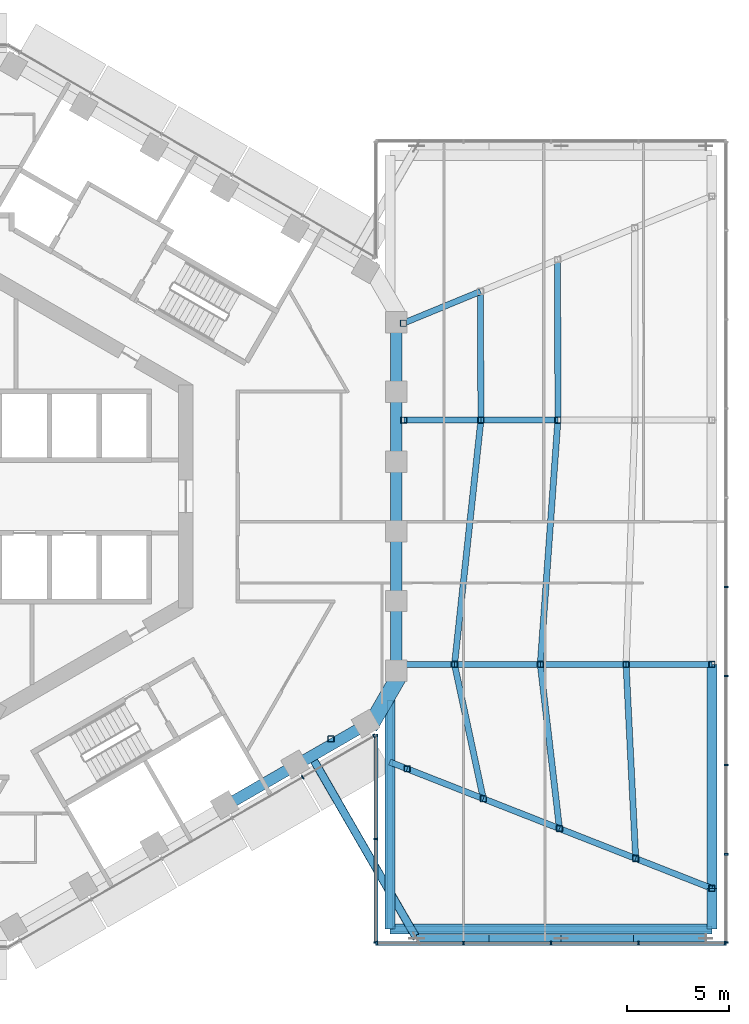
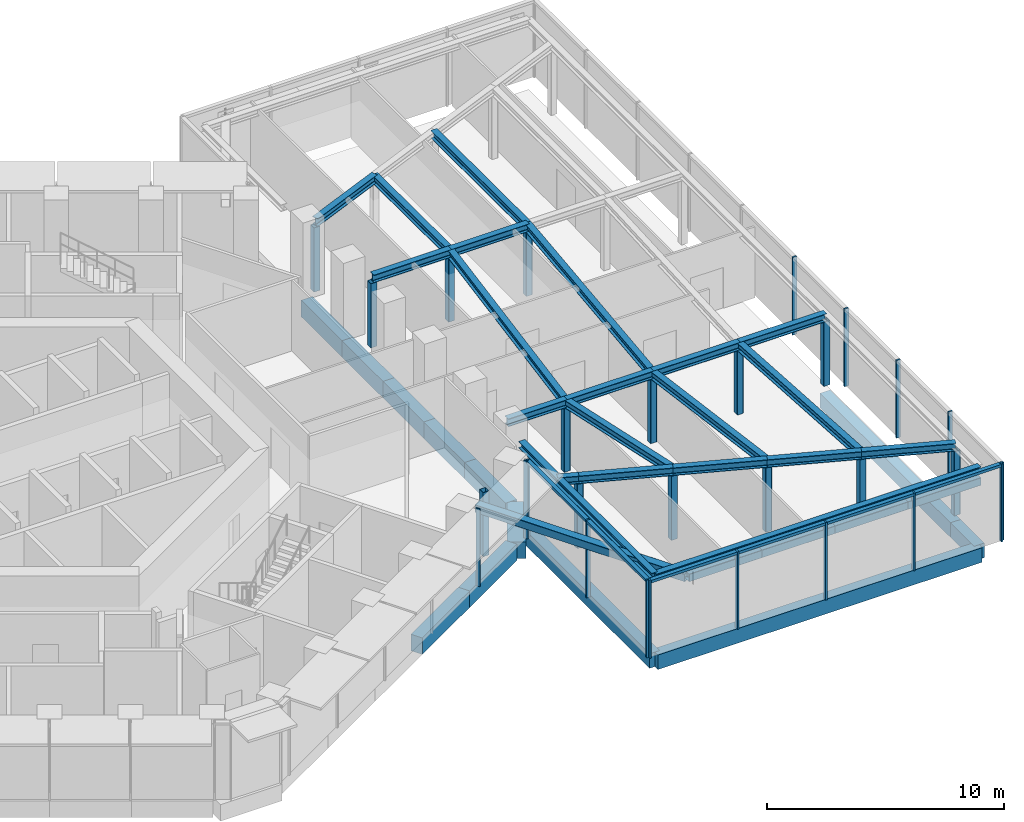
# One storey, part 4 of 24: 36 members, 33 beams, 4 elements without a shape of their own.
"""IFC4 building model written with IfcOpenShell, lengths in metres."""

from ifc_helpers import new_model, si_unit, direction, frame, origin, origin_2d, place, context, subcontext, project, spatial, rectangle, hollow_rectangle, i_section, extrude, material, layer, layer_set, material_profile, profile_set, type_object, element, aggregate, save


model = new_model("IFC4")

# Units and contexts
model_context = context("Model", 3, precision=1e-05, world=origin(), true_north=direction((0.0, 1.0)))
body_context = subcontext(model_context, "Body", "Model", "MODEL_VIEW")
ifc_project = project(units=[si_unit("LENGTHUNIT", "METRE"), si_unit("AREAUNIT", "SQUARE_METRE"), si_unit("VOLUMEUNIT", "CUBIC_METRE"), si_unit("PLANEANGLEUNIT", "RADIAN"), si_unit("MASSUNIT", "GRAM", prefix="KILO")], contexts=[model_context])

# Site, building, storey
site_placement = place(None, origin())
site = spatial("IfcSite", under=ifc_project, at=site_placement, CompositionType="ELEMENT")
building_placement = place(site_placement, origin())
building = spatial("IfcBuilding", under=site, at=building_placement, Name="Ayvan Gate Tower", CompositionType="ELEMENT")
storey_placement = place(building_placement, frame((0.0, 0.0, 128.5)))
storey = spatial("IfcBuildingStorey", under=building, at=storey_placement, Name="L34", CompositionType="ELEMENT", Elevation=128.5)

# Beams
ifc_material_1 = material(Name="Concrete C40/50", Category="concrete")
ifc_material_profile_1 = material_profile(ifc_material_1, rectangle(XDim=0.800048828125, YDim=0.85009765625, at=origin_2d()), Name="RC 800x850")
ifc_profile_set_1 = profile_set([ifc_material_profile_1], Name="Concrete C40/50")
beam_type_1 = type_object("IfcBeamType", Name="Corner spandrel beam RC 800x850 C40/50", PredefinedType="BEAM", material=ifc_profile_set_1)
beam_1_placement = place(storey_placement, frame((18.176025390625, -11.32763671875, -0.824951171875), z_axis=(0.499990139034, 0.866031096941, 0.0), x_axis=(-0.866031096941, 0.499990139034, 0.0)))
element("IfcBeam", 1, at=beam_1_placement, inside=storey, type_object=beam_type_1, Name="SB-L34-36", PredefinedType="BEAM", context=body_context, shape_type="SweptSolid", body=[
    extrude(rectangle(XDim=0.800048828125, YDim=0.85009765625, at=origin_2d()), origin(), (0.0, 0.0, 1.0), 3.0),
])
ifc_material_profile_2 = material_profile(ifc_material_1, rectangle(XDim=0.5, YDim=0.75, at=origin_2d()), Name="RC 500x750")
ifc_profile_set_2 = profile_set([ifc_material_profile_2], Name="Concrete C40/50")
beam_type_2 = type_object("IfcBeamType", Name="Sky bar edge beam RC 500x750 C40/50", PredefinedType="BEAM", material=ifc_profile_set_2)
beam_2_placement = place(storey_placement, frame((34.985595703125, -8.25, -0.77490234375), z_axis=(0.0, -1.0, 0.0), x_axis=(1.0, 0.0, 0.0)))
element("IfcBeam", 2, at=beam_2_placement, inside=storey, type_object=beam_type_2, Name="EB-B2-L34-6", PredefinedType="BEAM", context=body_context, shape_type="SweptSolid", body=[
    extrude(rectangle(XDim=0.5, YDim=0.75, at=origin_2d()), origin(), (0.0, 0.0, 1.0), 11.0),
])
beam_3_placement = place(storey_placement, frame((34.985595703125, -19.25, -0.77490234375), z_axis=(0.0, -1.0, 0.0), x_axis=(1.0, 0.0, 0.0)))
element("IfcBeam", 3, at=beam_3_placement, inside=storey, type_object=beam_type_2, Name="EB-B2-L34-7", PredefinedType="BEAM", context=body_context, shape_type="SweptSolid", body=[
    extrude(rectangle(XDim=0.5, YDim=0.75, at=origin_2d()), origin(), (0.0, 0.0, 1.0), 2.0),
])
beam_4_placement = place(storey_placement, frame((34.985595703125, -21.25, -0.77490234375), z_axis=(-1.0, 0.0, 0.0), x_axis=(0.0, -1.0, 0.0)))
element("IfcBeam", 4, at=beam_4_placement, inside=storey, type_object=beam_type_2, Name="EB-B2-L34-8", PredefinedType="BEAM", context=body_context, shape_type="SweptSolid", body=[
    extrude(rectangle(XDim=0.5, YDim=0.75, at=origin_2d()), origin(), (0.0, 0.0, 1.0), 15.800048828125),
])
beam_5_placement = place(storey_placement, frame((19.185546875, -21.25, -0.77490234375), z_axis=(0.0, 1.0, 0.0), x_axis=(-1.0, 0.0, 0.0)))
element("IfcBeam", 5, at=beam_5_placement, inside=storey, type_object=beam_type_2, Name="EB-B2-L34-9", PredefinedType="BEAM", context=body_context, shape_type="SweptSolid", body=[
    extrude(rectangle(XDim=0.5, YDim=0.75, at=origin_2d()), origin(), (0.0, 0.0, 1.0), 11.4501953125),
])
ifc_material_2 = material(Name="Steel S460ML", Category="steel")
ifc_material_profile_3 = material_profile(ifc_material_2, i_section(OverallWidth=0.300048828125, OverallDepth=0.39990234375, WebThickness=0.013427734375, FlangeThickness=0.02392578125, FilletRadius=0.027099609375, at=origin_2d()), Name="HE 400 B")
ifc_profile_set_3 = profile_set([ifc_material_profile_3], Name="Steel S460ML")
beam_type_3 = type_object("IfcBeamType", Name="Sky bar roof beam B2 HE 400 B", PredefinedType="BEAM", material=ifc_profile_set_3)
beam_6_placement = place(storey_placement, frame((19.16552734375, -13.04248046875, 3.5), z_axis=(0.930896936918, -0.365281936093, 0.0), x_axis=(0.365281936093, 0.930896936918, 0.0)))
element("IfcBeam", 6, at=beam_6_placement, inside=storey, type_object=beam_type_3, Name="RB-B2-SBT2-1-1", PredefinedType="BEAM", context=body_context, shape_type="SweptSolid", body=[
    extrude(i_section(OverallWidth=0.300048828125, OverallDepth=0.39990234375, WebThickness=0.013427734375, FlangeThickness=0.02392578125, FilletRadius=0.027099609375, at=origin_2d()), origin(), (0.0, 0.0, 1.0), 0.917724609375),
])
beam_7_placement = place(storey_placement, frame((20.019775390625, -13.377685546875, 3.5), z_axis=(0.930907196414, -0.365255789366, 0.0), x_axis=(0.365255789366, 0.930907196414, 0.0)))
element("IfcBeam", 7, at=beam_7_placement, inside=storey, type_object=beam_type_3, Name="RB-B2-SBT2-1-2", PredefinedType="BEAM", context=body_context, shape_type="SweptSolid", body=[
    extrude(i_section(OverallWidth=0.300048828125, OverallDepth=0.39990234375, WebThickness=0.013427734375, FlangeThickness=0.02392578125, FilletRadius=0.027099609375, at=origin_2d()), origin(), (0.0, 0.0, 1.0), 4.01904296875),
])
beam_8_placement = place(storey_placement, frame((23.76123046875, -14.845703125, 3.5), z_axis=(0.930886541135, -0.365308427953, 0.0), x_axis=(0.365308427953, 0.930886541135, 0.0)))
element("IfcBeam", 8, at=beam_8_placement, inside=storey, type_object=beam_type_3, Name="RB-B2-SBT2-1-3", PredefinedType="BEAM", context=body_context, shape_type="SweptSolid", body=[
    extrude(i_section(OverallWidth=0.300048828125, OverallDepth=0.39990234375, WebThickness=0.013427734375, FlangeThickness=0.02392578125, FilletRadius=0.027099609375, at=origin_2d()), origin(), (0.0, 0.0, 1.0), 4.019287109375),
])
for number, where, z_axis, x_axis, name in (
    (9, (27.502685546875, -16.31396484375, 3.5), (0.930907196414, -0.365255789366, 0.0), (0.365255789366, 0.930907196414, 0.0), "RB-B2-SBT2-1-4"),
    (10, (31.244140625, -17.781982421875, 3.5), (0.930907196414, -0.365255789366, 0.0), (0.365255789366, 0.930907196414, 0.0), "RB-B2-SBT2-1-5"),
):
    element("IfcBeam", number, at=place(storey_placement, frame(where, z_axis=z_axis, x_axis=x_axis)), inside=storey, type_object=beam_type_3, Name=name, PredefinedType="BEAM", context=body_context, shape_type="SweptSolid", body=[
        extrude(i_section(OverallWidth=0.300048828125, OverallDepth=0.39990234375, WebThickness=0.013427734375, FlangeThickness=0.02392578125, FilletRadius=0.027099609375, at=origin_2d()), origin(), (0.0, 0.0, 1.0), 4.01904296875),
    ])
beam_9_placement = place(storey_placement, frame((19.485595703125, -8.25, 3.5), z_axis=(1.0, 0.0, 0.0), x_axis=(0.0, 1.0, 0.0)))
element("IfcBeam", 11, at=beam_9_placement, inside=storey, type_object=beam_type_3, Name="RB-B2-SBT2-2-1", PredefinedType="BEAM", context=body_context, shape_type="SweptSolid", body=[
    extrude(i_section(OverallWidth=0.300048828125, OverallDepth=0.39990234375, WebThickness=0.013427734375, FlangeThickness=0.02392578125, FilletRadius=0.027099609375, at=origin_2d()), origin(), (0.0, 0.0, 1.0), 2.862548828125),
])
beam_10_placement = place(storey_placement, frame((22.34814453125, -8.25, 3.5), z_axis=(1.0, 0.0, 0.0), x_axis=(0.0, 1.0, 0.0)))
element("IfcBeam", 12, at=beam_10_placement, inside=storey, type_object=beam_type_3, Name="RB-B2-SBT2-2-2", PredefinedType="BEAM", context=body_context, shape_type="SweptSolid", body=[
    extrude(i_section(OverallWidth=0.300048828125, OverallDepth=0.39990234375, WebThickness=0.013427734375, FlangeThickness=0.02392578125, FilletRadius=0.027099609375, at=origin_2d()), origin(), (0.0, 0.0, 1.0), 4.21240234375),
])
beam_11_placement = place(storey_placement, frame((26.560546875, -8.25, 3.5), z_axis=(1.0, 0.0, 0.0), x_axis=(0.0, 1.0, 0.0)))
element("IfcBeam", 13, at=beam_11_placement, inside=storey, type_object=beam_type_3, Name="RB-B2-SBT2-2-3", PredefinedType="BEAM", context=body_context, shape_type="SweptSolid", body=[
    extrude(i_section(OverallWidth=0.300048828125, OverallDepth=0.39990234375, WebThickness=0.013427734375, FlangeThickness=0.02392578125, FilletRadius=0.027099609375, at=origin_2d()), origin(), (0.0, 0.0, 1.0), 4.212646484375),
])
beam_12_placement = place(storey_placement, frame((30.773193359375, -8.25, 3.5), z_axis=(1.0, 0.0, 0.0), x_axis=(0.0, 1.0, 0.0)))
element("IfcBeam", 14, at=beam_12_placement, inside=storey, type_object=beam_type_3, Name="RB-B2-SBT2-2-4", PredefinedType="BEAM", context=body_context, shape_type="SweptSolid", body=[
    extrude(i_section(OverallWidth=0.300048828125, OverallDepth=0.39990234375, WebThickness=0.013427734375, FlangeThickness=0.02392578125, FilletRadius=0.027099609375, at=origin_2d()), origin(), (0.0, 0.0, 1.0), 4.21240234375),
])
for number, where, z_axis, x_axis, name in (
    (15, (19.86181640625, 3.75, 3.5), (1.0, 0.0, 0.0), (0.0, 1.0, 0.0), "RB-B2-SBT2-3-1"),
    (16, (23.642822265625, 3.75, 3.5), (1.0, 0.0, 0.0), (0.0, 1.0, 0.0), "RB-B2-SBT2-3-2"),
):
    element("IfcBeam", number, at=place(storey_placement, frame(where, z_axis=z_axis, x_axis=x_axis)), inside=storey, type_object=beam_type_3, Name=name, PredefinedType="BEAM", context=body_context, shape_type="SweptSolid", body=[
        extrude(i_section(OverallWidth=0.300048828125, OverallDepth=0.39990234375, WebThickness=0.013427734375, FlangeThickness=0.02392578125, FilletRadius=0.027099609375, at=origin_2d()), origin(), (0.0, 0.0, 1.0), 3.781005859375),
    ])
beam_13_placement = place(storey_placement, frame((19.831787109375, 8.506591796875, 3.5), z_axis=(0.924601569507, 0.380935608292, 0.0), x_axis=(-0.380935608292, 0.924601569507, 0.0)))
element("IfcBeam", 17, at=beam_13_placement, inside=storey, type_object=beam_type_3, Name="RB-B2-SBT2-4-1", PredefinedType="BEAM", context=body_context, shape_type="SweptSolid", body=[
    extrude(i_section(OverallWidth=0.300048828125, OverallDepth=0.39990234375, WebThickness=0.013427734375, FlangeThickness=0.02392578125, FilletRadius=0.027099609375, at=origin_2d()), origin(), (0.0, 0.0, 1.0), 4.09716796875),
])
beam_14_placement = place(storey_placement, frame((31.244140625, -17.781982421875, 3.5), z_axis=(-0.04934687143, 0.998781701014, 0.0), x_axis=(-0.998781701014, -0.04934687143, 0.0)))
element("IfcBeam", 18, at=beam_14_placement, inside=storey, type_object=beam_type_3, Name="RX-B2-12-2", PredefinedType="BEAM", context=body_context, shape_type="SweptSolid", body=[
    extrude(i_section(OverallWidth=0.300048828125, OverallDepth=0.39990234375, WebThickness=0.013427734375, FlangeThickness=0.02392578125, FilletRadius=0.027099609375, at=origin_2d()), origin(), (0.0, 0.0, 1.0), 9.543701171875),
])
beam_15_placement = place(storey_placement, frame((27.502685546875, -16.31396484375, 3.5), z_axis=(-0.116043867406, 0.993244089254, 0.0), x_axis=(-0.993244089254, -0.116043867406, 0.0)))
element("IfcBeam", 19, at=beam_15_placement, inside=storey, type_object=beam_type_3, Name="RX-B2-12-3", PredefinedType="BEAM", context=body_context, shape_type="SweptSolid", body=[
    extrude(i_section(OverallWidth=0.300048828125, OverallDepth=0.39990234375, WebThickness=0.013427734375, FlangeThickness=0.02392578125, FilletRadius=0.027099609375, at=origin_2d()), origin(), (0.0, 0.0, 1.0), 8.118896484375),
])
beam_16_placement = place(storey_placement, frame((23.76123046875, -14.845703125, 3.5), z_axis=(-0.209489540245, 0.977810887916, 0.0), x_axis=(-0.977810887916, -0.209489540245, 0.0)))
element("IfcBeam", 20, at=beam_16_placement, inside=storey, type_object=beam_type_3, Name="RX-B2-12-4", PredefinedType="BEAM", context=body_context, shape_type="SweptSolid", body=[
    extrude(i_section(OverallWidth=0.300048828125, OverallDepth=0.39990234375, WebThickness=0.013427734375, FlangeThickness=0.02392578125, FilletRadius=0.027099609375, at=origin_2d()), origin(), (0.0, 0.0, 1.0), 6.745361328125),
])
beam_17_placement = place(storey_placement, frame((26.560546875, -8.25, 3.5), z_axis=(0.071754665008, 0.997422311787, 0.0), x_axis=(-0.997422311787, 0.071754665008, 0.0)))
element("IfcBeam", 21, at=beam_17_placement, inside=storey, type_object=beam_type_3, Name="RX-B2-23-3", PredefinedType="BEAM", context=body_context, shape_type="SweptSolid", body=[
    extrude(i_section(OverallWidth=0.300048828125, OverallDepth=0.39990234375, WebThickness=0.013427734375, FlangeThickness=0.02392578125, FilletRadius=0.027099609375, at=origin_2d()), origin(), (0.0, 0.0, 1.0), 12.031005859375),
])
beam_18_placement = place(storey_placement, frame((22.34814453125, -8.25, 3.5), z_axis=(0.107267310385, 0.994230216863, 0.0), x_axis=(-0.994230216863, 0.107267310385, 0.0)))
element("IfcBeam", 22, at=beam_18_placement, inside=storey, type_object=beam_type_3, Name="RX-B2-23-4", PredefinedType="BEAM", context=body_context, shape_type="SweptSolid", body=[
    extrude(i_section(OverallWidth=0.300048828125, OverallDepth=0.39990234375, WebThickness=0.013427734375, FlangeThickness=0.02392578125, FilletRadius=0.027099609375, at=origin_2d()), origin(), (0.0, 0.0, 1.0), 12.069580078125),
])
beam_19_placement = place(storey_placement, frame((27.423828125, 3.75, 3.5), z_axis=(-0.001921285577, 0.999998154329, 0.0), x_axis=(-0.999998154329, -0.001921285577, 0.0)))
element("IfcBeam", 23, at=beam_19_placement, inside=storey, type_object=beam_type_3, Name="RX-B2-34-3", PredefinedType="BEAM", context=body_context, shape_type="SweptSolid", body=[
    extrude(i_section(OverallWidth=0.300048828125, OverallDepth=0.39990234375, WebThickness=0.013427734375, FlangeThickness=0.02392578125, FilletRadius=0.027099609375, at=origin_2d()), origin(), (0.0, 0.0, 1.0), 7.87841796875),
])
beam_20_placement = place(storey_placement, frame((23.642822265625, 3.75, 3.5), z_axis=(-0.003594040785, 0.999993541415, 0.0), x_axis=(-0.999993541415, -0.003594040785, 0.0)))
element("IfcBeam", 24, at=beam_20_placement, inside=storey, type_object=beam_type_3, Name="RX-B2-34-4", PredefinedType="BEAM", context=body_context, shape_type="SweptSolid", body=[
    extrude(i_section(OverallWidth=0.300048828125, OverallDepth=0.39990234375, WebThickness=0.013427734375, FlangeThickness=0.02392578125, FilletRadius=0.027099609375, at=origin_2d()), origin(), (0.0, 0.0, 1.0), 6.3173828125),
])
ifc_material_profile_4 = material_profile(ifc_material_2, i_section(OverallWidth=0.300048828125, OverallDepth=0.340087890625, WebThickness=0.011962890625, FlangeThickness=0.021484375, FilletRadius=0.027099609375, at=origin_2d()), Name="HE 340 B")
ifc_profile_set_4 = profile_set([ifc_material_profile_4], Name="Steel S460ML")
beam_type_4 = type_object("IfcBeamType", Name="Sky bar roof edge beam B2 HE 340 B", PredefinedType="BEAM", material=ifc_profile_set_4)
beam_21_placement = place(storey_placement, frame((34.985595703125, -21.25, 3.530029296875), z_axis=(-1.0, 0.0, 0.0), x_axis=(0.0, -1.0, 0.0)))
element("IfcBeam", 25, at=beam_21_placement, inside=storey, type_object=beam_type_4, Name="RE-B2-1-2", PredefinedType="BEAM", context=body_context, shape_type="SweptSolid", body=[
    extrude(i_section(OverallWidth=0.300048828125, OverallDepth=0.340087890625, WebThickness=0.011962890625, FlangeThickness=0.021484375, FilletRadius=0.027099609375, at=origin_2d()), origin(), (0.0, 0.0, 1.0), 15.800048828125),
])
beam_22_placement = place(storey_placement, frame((19.185546875, -21.25, 3.530029296875), z_axis=(0.0, 1.0, 0.0), x_axis=(-1.0, 0.0, 0.0)))
element("IfcBeam", 26, at=beam_22_placement, inside=storey, type_object=beam_type_4, Name="RE-B2-1-3", PredefinedType="BEAM", context=body_context, shape_type="SweptSolid", body=[
    extrude(i_section(OverallWidth=0.300048828125, OverallDepth=0.340087890625, WebThickness=0.011962890625, FlangeThickness=0.021484375, FilletRadius=0.027099609375, at=origin_2d()), origin(), (0.0, 0.0, 1.0), 11.2216796875),
])

# Members
ifc_material_3 = material(Name="Steel S460NH", Category="steel")
ifc_material_profile_5 = material_profile(ifc_material_3, hollow_rectangle(XDim=0.300048828125, YDim=0.300048828125, WallThickness=0.012451171875, InnerFilletRadius=0.012451171875, OuterFilletRadius=0.018798828125, at=origin_2d()), Name="RHS 300x300x12.5")
ifc_profile_set_5 = profile_set([ifc_material_profile_5], Name="Steel S460NH")
member_type_1 = type_object("IfcMemberType", Name="Sky bar roof post B2 RHS 300x300x12.5", PredefinedType="POST", material=ifc_profile_set_5)
for number, where, z_axis, x_axis, name in (
    (27, (16.2783203125, -11.90966796875, 0.0), (0.0, 0.0, 1.0), (1.0, 0.0, 0.0), "RP-B2-SBT2-1-1"),
    (28, (20.019775390625, -13.377685546875, 0.0), (0.0, 0.0, 1.0), (1.0, 0.0, 0.0), "RP-B2-SBT2-1-2"),
    (29, (23.76123046875, -14.845703125, 0.0), (0.0, 0.0, 1.0), (1.0, 0.0, 0.0), "RP-B2-SBT2-1-3"),
    (30, (27.502685546875, -16.31396484375, 0.0), (0.0, 0.0, 1.0), (1.0, 0.0, 0.0), "RP-B2-SBT2-1-4"),
    (31, (31.244140625, -17.781982421875, 0.0), (0.0, 0.0, 1.0), (1.0, 0.0, 0.0), "RP-B2-SBT2-1-5"),
    (32, (34.985595703125, -19.25, 0.0), (0.0, 0.0, 1.0), (1.0, 0.0, 0.0), "RP-B2-SBT2-1-6"),
    (33, (22.34814453125, -8.25, 0.0), (0.0, 0.0, 1.0), (1.0, 0.0, 0.0), "RP-B2-SBT2-2-1"),
    (34, (26.560546875, -8.25, 0.0), (0.0, 0.0, 1.0), (1.0, 0.0, 0.0), "RP-B2-SBT2-2-2"),
    (35, (30.773193359375, -8.25, 0.0), (0.0, 0.0, 1.0), (1.0, 0.0, 0.0), "RP-B2-SBT2-2-3"),
    (36, (34.985595703125, -8.25, 0.0), (0.0, 0.0, 1.0), (1.0, 0.0, 0.0), "RP-B2-SBT2-2-4"),
    (37, (19.86181640625, 3.75, 0.0), (0.0, 0.0, 1.0), (1.0, 0.0, 0.0), "RP-B2-SBT2-3-1"),
    (38, (23.642822265625, 3.75, 0.0), (0.0, 0.0, 1.0), (1.0, 0.0, 0.0), "RP-B2-SBT2-3-2"),
    (39, (27.423828125, 3.75, 0.0), (0.0, 0.0, 1.0), (1.0, 0.0, 0.0), "RP-B2-SBT2-3-3"),
    (40, (19.831787109375, 8.506591796875, 0.0), (0.0, 0.0, 1.0), (1.0, 0.0, 0.0), "RP-B2-SBT2-4-1"),
):
    element("IfcMember", number, at=place(storey_placement, frame(where, z_axis=z_axis, x_axis=x_axis)), inside=storey, type_object=member_type_1, Name=name, PredefinedType="POST", context=body_context, shape_type="SweptSolid", body=[
        extrude(hollow_rectangle(XDim=0.300048828125, YDim=0.300048828125, WallThickness=0.012451171875, InnerFilletRadius=0.012451171875, OuterFilletRadius=0.018798828125, at=origin_2d()), origin(), (0.0, 0.0, 1.0), 3.300048828125),
    ])
ifc_material_profile_6 = material_profile(ifc_material_3, hollow_rectangle(XDim=0.39990234375, YDim=0.39990234375, WallThickness=0.01611328125, InnerFilletRadius=0.01611328125, OuterFilletRadius=0.02392578125, at=origin_2d()), Name="RHS 400x400x16")
ifc_profile_set_6 = profile_set([ifc_material_profile_6], Name="Steel S460NH")
member_type_2 = type_object("IfcMemberType", Name="Sky bar truss brace B2 RHS 400x400x16", PredefinedType="BRACE", material=ifc_profile_set_6)
member_1_placement = place(storey_placement, frame((15.382080078125, -12.865478515625, 3.35009765625), z_axis=(0.499997825845, -0.86602665903, 0.0), x_axis=(0.86602665903, 0.499997825845, 0.0)))
element("IfcMember", 41, at=member_1_placement, inside=storey, type_object=member_type_2, Name="SBX2-B-TC-1", PredefinedType="CHORD", context=body_context, shape_type="SweptSolid", body=[
    extrude(hollow_rectangle(XDim=0.39990234375, YDim=0.39990234375, WallThickness=0.01611328125, InnerFilletRadius=0.01611328125, OuterFilletRadius=0.02392578125, at=origin_2d()), origin(), (0.0, 0.0, 1.0), 10.20703125),
])
for number, where, z_axis, x_axis, name in (
    (42, (20.485595703125, -21.705078125, 3.35009765625), (1.0, 0.0, 0.0), (0.0, 1.0, 0.0), "SBX2-B-TC-2"),
    (43, (24.03564453125, -21.705078125, 3.35009765625), (1.0, 0.0, 0.0), (0.0, 1.0, 0.0), "SBX2-B-TC-3"),
):
    element("IfcMember", number, at=place(storey_placement, frame(where, z_axis=z_axis, x_axis=x_axis)), inside=storey, type_object=member_type_2, Name=name, PredefinedType="CHORD", context=body_context, shape_type="SweptSolid", body=[
        extrude(hollow_rectangle(XDim=0.39990234375, YDim=0.39990234375, WallThickness=0.01611328125, InnerFilletRadius=0.01611328125, OuterFilletRadius=0.02392578125, at=origin_2d()), origin(), (0.0, 0.0, 1.0), 3.550048828125),
    ])
member_2_placement = place(storey_placement, frame((27.585693359375, -21.705078125, 3.35009765625), z_axis=(1.0, 0.0, 0.0), x_axis=(0.0, 1.0, 0.0)))
element("IfcMember", 44, at=member_2_placement, inside=storey, type_object=member_type_2, Name="SBX2-B-TC-4", PredefinedType="CHORD", context=body_context, shape_type="SweptSolid", body=[
    extrude(hollow_rectangle(XDim=0.39990234375, YDim=0.39990234375, WallThickness=0.01611328125, InnerFilletRadius=0.01611328125, OuterFilletRadius=0.02392578125, at=origin_2d()), origin(), (0.0, 0.0, 1.0), 3.5498046875),
])
member_3_placement = place(storey_placement, frame((31.135498046875, -21.705078125, 3.35009765625), z_axis=(1.0, 0.0, 0.0), x_axis=(0.0, 1.0, 0.0)))
element("IfcMember", 45, at=member_3_placement, inside=storey, type_object=member_type_2, Name="SBX2-B-TC-5", PredefinedType="CHORD", context=body_context, shape_type="SweptSolid", body=[
    extrude(hollow_rectangle(XDim=0.39990234375, YDim=0.39990234375, WallThickness=0.01611328125, InnerFilletRadius=0.01611328125, OuterFilletRadius=0.02392578125, at=origin_2d()), origin(), (0.0, 0.0, 1.0), 3.550048828125),
])

# Beams
ifc_material_profile_7 = material_profile(ifc_material_1, rectangle(XDim=0.550048828125, YDim=0.85009765625, at=origin_2d()), Name="RC 550x850")
ifc_profile_set_7 = profile_set([ifc_material_profile_7], Name="Concrete C40/50")
beam_type_5 = type_object("IfcBeamType", Name="Spandrel beam RC 550x850 C40/50", PredefinedType="BEAM", material=ifc_profile_set_7)
beam_23_placement = place(storey_placement, frame((19.485595703125, -8.61962890625, -0.824951171875), z_axis=(0.0, 1.0, 0.0), x_axis=(-1.0, 0.0, 0.0)))
element("IfcBeam", 46, at=beam_23_placement, inside=storey, type_object=beam_type_5, Name="SB-L34-1", PredefinedType="BEAM", context=body_context, shape_type="SweptSolid", body=[
    extrude(rectangle(XDim=0.550048828125, YDim=0.85009765625, at=origin_2d()), origin(), (0.0, 0.0, 1.0), 3.447998046875),
])
for number, where, z_axis, x_axis, name in (
    (47, (19.485595703125, -5.171630859375, -0.824951171875), (0.0, 1.0, 0.0), (-1.0, 0.0, 0.0), "SB-L34-2"),
    (48, (19.485595703125, -1.723876953125, -0.824951171875), (0.0, 1.0, 0.0), (-1.0, 0.0, 0.0), "SB-L34-3"),
    (49, (19.485595703125, 1.723876953125, -0.824951171875), (0.0, 1.0, 0.0), (-1.0, 0.0, 0.0), "SB-L34-4"),
):
    element("IfcBeam", number, at=place(storey_placement, frame(where, z_axis=z_axis, x_axis=x_axis)), inside=storey, type_object=beam_type_5, Name=name, PredefinedType="BEAM", context=body_context, shape_type="SweptSolid", body=[
        extrude(rectangle(XDim=0.550048828125, YDim=0.85009765625, at=origin_2d()), origin(), (0.0, 0.0, 1.0), 3.44775390625),
    ])
beam_24_placement = place(storey_placement, frame((19.485595703125, 5.171630859375, -0.824951171875), z_axis=(0.0, 1.0, 0.0), x_axis=(-1.0, 0.0, 0.0)))
element("IfcBeam", 50, at=beam_24_placement, inside=storey, type_object=beam_type_5, Name="SB-L34-5", PredefinedType="BEAM", context=body_context, shape_type="SweptSolid", body=[
    extrude(rectangle(XDim=0.550048828125, YDim=0.85009765625, at=origin_2d()), origin(), (0.0, 0.0, 1.0), 3.447998046875),
])
beam_25_placement = place(storey_placement, frame((11.080078125, -15.204345703125, -0.824951171875), z_axis=(0.86603772933, 0.499978650921, 0.0), x_axis=(-0.499978650921, 0.86603772933, 0.0)))
element("IfcBeam", 51, at=beam_25_placement, inside=storey, type_object=beam_type_5, Name="SB-L34-34", PredefinedType="BEAM", context=body_context, shape_type="SweptSolid", body=[
    extrude(rectangle(XDim=0.550048828125, YDim=0.85009765625, at=origin_2d()), origin(), (0.0, 0.0, 1.0), 3.987060546875),
])
beam_26_placement = place(storey_placement, frame((14.532958984375, -13.2109375, -0.824951171875), z_axis=(0.866022420826, 0.500005166599, 0.0), x_axis=(-0.500005166599, 0.866022420826, 0.0)))
element("IfcBeam", 52, at=beam_26_placement, inside=storey, type_object=beam_type_5, Name="SB-L34-35", PredefinedType="BEAM", context=body_context, shape_type="SweptSolid", body=[
    extrude(rectangle(XDim=0.550048828125, YDim=0.85009765625, at=origin_2d()), origin(), (0.0, 0.0, 1.0), 3.98681640625),
])

# Curtain wall, members
ifc_material_4 = material(Name="Bronze anodised aluminium", Category="aluminium")
ifc_layer_1 = layer(ifc_material_4, 0.199951171875)
ifc_layer_set_1 = layer_set([ifc_layer_1], Name="Bronze anodised aluminium")
curtain_wall_type_1 = type_object("IfcCurtainWallType", Name="Stick curtain wall CW-1", PredefinedType="NOTDEFINED", material=ifc_layer_set_1)
curtain_wall_1_placement = place(storey_placement, origin())
curtain_wall_1 = element("IfcCurtainWall", 53, at=curtain_wall_1_placement, inside=storey, type_object=curtain_wall_type_1, Name="Stick curtain wall CW-1 L34", PredefinedType="NOTDEFINED")
ifc_material_profile_8 = material_profile(ifc_material_4, rectangle(XDim=0.199951171875, YDim=0.06005859375, at=origin_2d()), Name="Stick curtain wall CW-1 mullion 200 x 60")
ifc_profile_set_8 = profile_set([ifc_material_profile_8], Name="Bronze anodised aluminium")
member_type_3 = type_object("IfcMemberType", Name="Stick curtain wall CW-1 mullion 200 x 60", PredefinedType="MULLION", material=ifc_profile_set_8)
member_4_placement = place(storey_placement, frame((14.890380859375, -13.796142578125, 0.0), z_axis=(0.0, 0.0, 1.0), x_axis=(0.5, -0.866025403784, 0.0)))
member_4 = element("IfcMember", 54, at=member_4_placement, type_object=member_type_3, Name="CW-1 mullion 5", PredefinedType="MULLION", context=body_context, shape_type="SweptSolid", body=[
    extrude(rectangle(XDim=0.199951171875, YDim=0.06005859375, at=origin_2d()), origin(), (0.0, 0.0, 1.0), 4.0),
])
member_5_placement = place(storey_placement, frame((18.389404296875, -11.776123046875, 0.0), z_axis=(0.0, 0.0, 1.0), x_axis=(0.5, -0.866025403784, 0.0)))
member_5 = element("IfcMember", 55, at=member_5_placement, type_object=member_type_3, Name="CW-1 mullion 6", PredefinedType="MULLION", context=body_context, shape_type="SweptSolid", body=[
    extrude(rectangle(XDim=0.199951171875, YDim=0.06005859375, at=origin_2d()), origin(), (0.0, 0.0, 1.0), 4.0),
])
aggregate(curtain_wall_1, [member_4, member_5])

ifc_layer_2 = layer(ifc_material_4, 0.199951171875)
ifc_layer_set_2 = layer_set([ifc_layer_2], Name="Bronze anodised aluminium")
curtain_wall_type_2 = type_object("IfcCurtainWallType", Name="Stick curtain wall CW-4", PredefinedType="NOTDEFINED", material=ifc_layer_set_2)
curtain_wall_2_placement = place(storey_placement, origin())
curtain_wall_2 = element("IfcCurtainWall", 56, at=curtain_wall_2_placement, inside=storey, type_object=curtain_wall_type_2, Name="Stick curtain wall CW-4 L34", PredefinedType="NOTDEFINED")
ifc_material_profile_9 = material_profile(ifc_material_4, rectangle(XDim=0.199951171875, YDim=0.080078125, at=origin_2d()), Name="Stick curtain wall CW-4 mullion 200 x 80")
ifc_profile_set_9 = profile_set([ifc_material_profile_9], Name="Bronze anodised aluminium")
member_type_4 = type_object("IfcMemberType", Name="Stick curtain wall CW-4 mullion 200 x 80", PredefinedType="MULLION", material=ifc_profile_set_9)
member_6_placement = place(storey_placement, frame((18.525634765625, -21.949951171875, 0.0), z_axis=(0.0, 0.0, 1.0), x_axis=(0.0, -1.0, 0.0)))
member_6 = element("IfcMember", 57, at=member_6_placement, type_object=member_type_4, Name="CW-4 mullion 1", PredefinedType="MULLION", context=body_context, shape_type="SweptSolid", body=[
    extrude(rectangle(XDim=0.199951171875, YDim=0.080078125, at=origin_2d()), origin(), (0.0, 0.0, 1.0), 4.0),
])
member_7_placement = place(storey_placement, frame((22.78564453125, -21.949951171875, 0.0), z_axis=(0.0, 0.0, 1.0), x_axis=(0.0, -1.0, 0.0)))
member_7 = element("IfcMember", 58, at=member_7_placement, type_object=member_type_4, Name="CW-4 mullion 2", PredefinedType="MULLION", context=body_context, shape_type="SweptSolid", body=[
    extrude(rectangle(XDim=0.199951171875, YDim=0.080078125, at=origin_2d()), origin(), (0.0, 0.0, 1.0), 4.0),
])
member_8_placement = place(storey_placement, frame((27.085693359375, -21.949951171875, 0.0), z_axis=(0.0, 0.0, 1.0), x_axis=(0.0, -1.0, 0.0)))
member_8 = element("IfcMember", 59, at=member_8_placement, type_object=member_type_4, Name="CW-4 mullion 3", PredefinedType="MULLION", context=body_context, shape_type="SweptSolid", body=[
    extrude(rectangle(XDim=0.199951171875, YDim=0.080078125, at=origin_2d()), origin(), (0.0, 0.0, 1.0), 4.0),
])
member_9_placement = place(storey_placement, frame((31.385498046875, -21.949951171875, 0.0), z_axis=(0.0, 0.0, 1.0), x_axis=(0.0, -1.0, 0.0)))
member_9 = element("IfcMember", 60, at=member_9_placement, type_object=member_type_4, Name="CW-4 mullion 4", PredefinedType="MULLION", context=body_context, shape_type="SweptSolid", body=[
    extrude(rectangle(XDim=0.199951171875, YDim=0.080078125, at=origin_2d()), origin(), (0.0, 0.0, 1.0), 4.0),
])
member_10_placement = place(storey_placement, frame((35.6455078125, -21.949951171875, 0.0), z_axis=(0.0, 0.0, 1.0), x_axis=(0.0, -1.0, 0.0)))
member_10 = element("IfcMember", 61, at=member_10_placement, type_object=member_type_4, Name="CW-4 mullion 5", PredefinedType="MULLION", context=body_context, shape_type="SweptSolid", body=[
    extrude(rectangle(XDim=0.199951171875, YDim=0.080078125, at=origin_2d()), origin(), (0.0, 0.0, 1.0), 4.0),
])

curtain_wall_3_placement = place(storey_placement, origin())
curtain_wall_3 = element("IfcCurtainWall", 62, at=curtain_wall_3_placement, inside=storey, type_object=curtain_wall_type_2, Name="Stick curtain wall CW-4 L34", PredefinedType="NOTDEFINED")
member_11_placement = place(storey_placement, frame((35.685546875, -21.909912109375, 0.0), z_axis=(0.0, 0.0, 1.0), x_axis=(1.0, 0.0, 0.0)))
member_11 = element("IfcMember", 63, at=member_11_placement, type_object=member_type_4, Name="CW-4 mullion 1", PredefinedType="MULLION", context=body_context, shape_type="SweptSolid", body=[
    extrude(rectangle(XDim=0.199951171875, YDim=0.080078125, at=origin_2d()), origin(), (0.0, 0.0, 1.0), 4.0),
])
member_12_placement = place(storey_placement, frame((35.685546875, -17.572265625, 0.0), z_axis=(0.0, 0.0, 1.0), x_axis=(1.0, 0.0, 0.0)))
member_12 = element("IfcMember", 64, at=member_12_placement, type_object=member_type_4, Name="CW-4 mullion 2", PredefinedType="MULLION", context=body_context, shape_type="SweptSolid", body=[
    extrude(rectangle(XDim=0.199951171875, YDim=0.080078125, at=origin_2d()), origin(), (0.0, 0.0, 1.0), 4.0),
])
member_13_placement = place(storey_placement, frame((35.685546875, -13.1943359375, 0.0), z_axis=(0.0, 0.0, 1.0), x_axis=(1.0, 0.0, 0.0)))
member_13 = element("IfcMember", 65, at=member_13_placement, type_object=member_type_4, Name="CW-4 mullion 3", PredefinedType="MULLION", context=body_context, shape_type="SweptSolid", body=[
    extrude(rectangle(XDim=0.199951171875, YDim=0.080078125, at=origin_2d()), origin(), (0.0, 0.0, 1.0), 4.0),
])
member_14_placement = place(storey_placement, frame((35.685546875, -8.816650390625, 0.0), z_axis=(0.0, 0.0, 1.0), x_axis=(1.0, 0.0, 0.0)))
member_14 = element("IfcMember", 66, at=member_14_placement, type_object=member_type_4, Name="CW-4 mullion 4", PredefinedType="MULLION", context=body_context, shape_type="SweptSolid", body=[
    extrude(rectangle(XDim=0.199951171875, YDim=0.080078125, at=origin_2d()), origin(), (0.0, 0.0, 1.0), 4.0),
])
member_15_placement = place(storey_placement, frame((35.685546875, -4.43896484375, 0.0), z_axis=(0.0, 0.0, 1.0), x_axis=(1.0, 0.0, 0.0)))
member_15 = element("IfcMember", 67, at=member_15_placement, type_object=member_type_4, Name="CW-4 mullion 5", PredefinedType="MULLION", context=body_context, shape_type="SweptSolid", body=[
    extrude(rectangle(XDim=0.199951171875, YDim=0.080078125, at=origin_2d()), origin(), (0.0, 0.0, 1.0), 4.0),
])
aggregate(curtain_wall_3, [member_11, member_12, member_13, member_14, member_15])

curtain_wall_4_placement = place(storey_placement, origin())
curtain_wall_4 = element("IfcCurtainWall", 68, at=curtain_wall_4_placement, inside=storey, type_object=curtain_wall_type_2, Name="Stick curtain wall CW-4 L34", PredefinedType="NOTDEFINED")
member_16_placement = place(storey_placement, frame((18.485595703125, -11.73095703125, 0.0), z_axis=(0.0, 0.0, 1.0), x_axis=(-1.0, 0.0, 0.0)))
member_16 = element("IfcMember", 69, at=member_16_placement, type_object=member_type_4, Name="CW-4 mullion 1", PredefinedType="MULLION", context=body_context, shape_type="SweptSolid", body=[
    extrude(rectangle(XDim=0.199951171875, YDim=0.080078125, at=origin_2d()), origin(), (0.0, 0.0, 1.0), 4.0),
])
member_17_placement = place(storey_placement, frame((18.485595703125, -16.820556640625, 0.0), z_axis=(0.0, 0.0, 1.0), x_axis=(-1.0, 0.0, 0.0)))
member_17 = element("IfcMember", 70, at=member_17_placement, type_object=member_type_4, Name="CW-4 mullion 2", PredefinedType="MULLION", context=body_context, shape_type="SweptSolid", body=[
    extrude(rectangle(XDim=0.199951171875, YDim=0.080078125, at=origin_2d()), origin(), (0.0, 0.0, 1.0), 4.0),
])
member_18_placement = place(storey_placement, frame((18.485595703125, -21.909912109375, 0.0), z_axis=(0.0, 0.0, 1.0), x_axis=(-1.0, 0.0, 0.0)))
member_18 = element("IfcMember", 71, at=member_18_placement, type_object=member_type_4, Name="CW-4 mullion 3", PredefinedType="MULLION", context=body_context, shape_type="SweptSolid", body=[
    extrude(rectangle(XDim=0.199951171875, YDim=0.080078125, at=origin_2d()), origin(), (0.0, 0.0, 1.0), 4.0),
])

# Member
ifc_material_profile_10 = material_profile(ifc_material_4, rectangle(XDim=0.199951171875, YDim=0.139892578125, at=origin_2d()), Name="Stick curtain wall CW-4 transom 200 x 140")
ifc_profile_set_10 = profile_set([ifc_material_profile_10], Name="Bronze anodised aluminium")
member_type_5 = type_object("IfcMemberType", Name="Stick curtain wall CW-4 transom 200 x 140", PredefinedType="USERDEFINED", material=ifc_profile_set_10)
member_19_placement = place(storey_placement, frame((18.525634765625, -21.949951171875, 3.929931640625), z_axis=(1.0, 0.0, 0.0), x_axis=(0.0, 1.0, 0.0)))
member_19 = element("IfcMember", 72, at=member_19_placement, type_object=member_type_5, Name="CW-4 transom 1", ObjectType="TRANSOM", PredefinedType="USERDEFINED", context=body_context, shape_type="SweptSolid", body=[
    extrude(rectangle(XDim=0.199951171875, YDim=0.139892578125, at=origin_2d()), origin(), (0.0, 0.0, 1.0), 17.119873046875),
])

aggregate(curtain_wall_2, [member_6, member_7, member_8, member_9, member_10, member_19])

member_20_placement = place(storey_placement, frame((18.485595703125, -11.73095703125, 3.929931640625), z_axis=(0.0, -1.0, 0.0), x_axis=(1.0, 0.0, 0.0)))
member_20 = element("IfcMember", 73, at=member_20_placement, type_object=member_type_5, Name="CW-4 transom 1", ObjectType="TRANSOM", PredefinedType="USERDEFINED", context=body_context, shape_type="SweptSolid", body=[
    extrude(rectangle(XDim=0.199951171875, YDim=0.139892578125, at=origin_2d()), origin(), (0.0, 0.0, 1.0), 10.178955078125),
])

aggregate(curtain_wall_4, [member_16, member_17, member_18, member_20])

save(model, "model.ifc")
